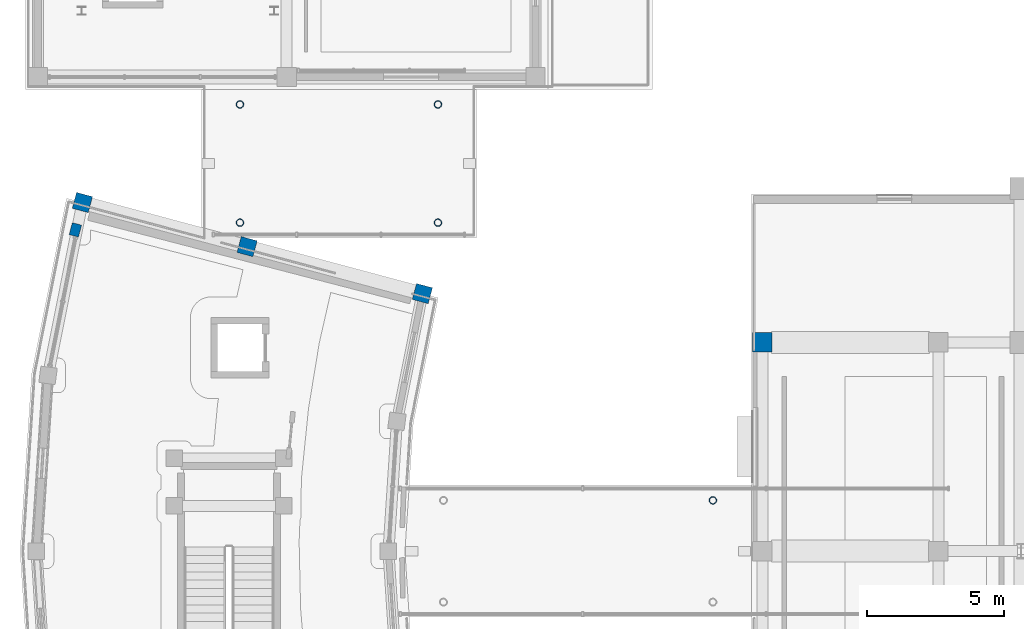
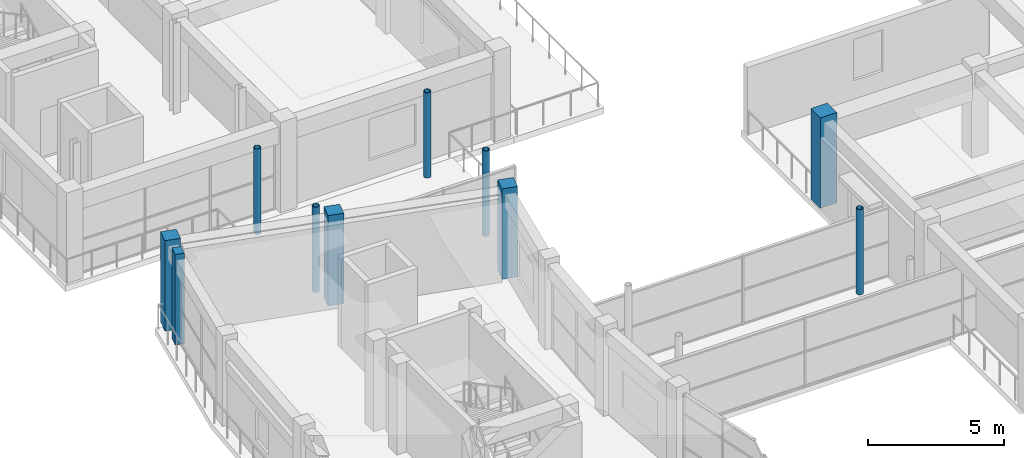
# One storey, part 3 of 70: 10 columns.
"""IFC4 building model written with IfcOpenShell, lengths in metres."""

from ifc_helpers import new_model, si_unit, direction, frame, origin, origin_2d, place, context, subcontext, project, spatial, rectangle, hollow_circle, extrude, material, material_profile, profile_set, type_object, element, save


model = new_model("IFC4")

# Units and contexts
model_context = context("Model", 3, precision=1e-05, world=origin(), true_north=direction((0.0, 1.0)))
body_context = subcontext(model_context, "Body", "Model", "MODEL_VIEW")
ifc_project = project(units=[si_unit("LENGTHUNIT", "METRE"), si_unit("AREAUNIT", "SQUARE_METRE"), si_unit("VOLUMEUNIT", "CUBIC_METRE"), si_unit("PLANEANGLEUNIT", "RADIAN"), si_unit("MASSUNIT", "GRAM", prefix="KILO")], contexts=[model_context])

# Site, building, storey
site_placement = place(None, origin())
site = spatial("IfcSite", under=ifc_project, at=site_placement, CompositionType="ELEMENT")
building_placement = place(site_placement, origin())
building = spatial("IfcBuilding", under=site, at=building_placement, Name="Saryqyr Civic Hall", CompositionType="ELEMENT")
storey_placement = place(building_placement, frame((0.0, 0.0, 13.199951171875)))
storey = spatial("IfcBuildingStorey", under=building, at=storey_placement, Name="L03", CompositionType="ELEMENT", Elevation=13.199951171875)

# Columns
ifc_material_1 = material(Name="Steel S355", Category="steel")
ifc_material_profile_1 = material_profile(ifc_material_1, hollow_circle(Radius=0.136474609375, WallThickness=0.01611328125, at=origin_2d()), Name="CHS 273x16")
ifc_profile_set_1 = profile_set([ifc_material_profile_1], Name="Steel S355")
column_type_1 = type_object("IfcColumnType", Name="STR-COL-CHS273-S355", PredefinedType="COLUMN", material=ifc_profile_set_1)
for number, where, z_axis, x_axis, name in (
    (1, (15.39990234375, 95.949951171875, 0.0), (0.0, 0.0, 1.0), (1.0, 0.0, 0.0), "Column BRCOL-BR-NW-1-L03"),
    (2, (22.60009765625, 95.949951171875, 0.0), (0.0, 0.0, 1.0), (1.0, 0.0, 0.0), "Column BRCOL-BR-NW-2-L03"),
    (3, (22.60009765625, 100.25, 0.0), (0.0, 0.0, 1.0), (1.0, 0.0, 0.0), "Column BRCOL-BR-NW-3-L03"),
    (4, (15.39990234375, 100.25, 0.0), (0.0, 0.0, 1.0), (1.0, 0.0, 0.0), "Column BRCOL-BR-NW-4-L03"),
    (5, (32.60009765625, 85.85009765625, 0.0), (0.0, 0.0, 1.0), (1.0, 0.0, 0.0), "Column BRCOL-BR-CW-3-L03"),
):
    element("IfcColumn", number, at=place(storey_placement, frame(where, z_axis=z_axis, x_axis=x_axis)), inside=storey, type_object=column_type_1, Name=name, PredefinedType="COLUMN", context=body_context, shape_type="SweptSolid", body=[
        extrude(hollow_circle(Radius=0.136474609375, WallThickness=0.01611328125, at=origin_2d()), origin(), (0.0, 0.0, 1.0), 3.820068359375),
    ])
ifc_material_2 = material(Name="Concrete C40/50", Category="concrete")
ifc_material_profile_2 = material_profile(ifc_material_2, rectangle(XDim=0.60009765625, YDim=0.60009765625, at=origin_2d()), Name="RC 600x600")
ifc_profile_set_2 = profile_set([ifc_material_profile_2], Name="Concrete C40/50")
column_type_2 = type_object("IfcColumnType", Name="STR-COL-RC600-C40", PredefinedType="COLUMN", material=ifc_profile_set_2)
for number, where, z_axis, x_axis, name in (
    (6, (22.033447265625, 93.369140625, 0.0), (0.0, 0.0, 1.0), (-0.965925826289, 0.258819045103, 0.0), "Column V4-COL-IN00-L03"),
    (7, (15.658447265625, 95.077392578125, 0.0), (0.0, 0.0, 1.0), (-0.965925826289, 0.258819045103, 0.0), "Column V4-COL-MID00-L03"),
    (8, (9.669677734375, 96.68212890625, 0.0), (0.0, 0.0, 1.0), (-0.965925826289, 0.258819045103, 0.0), "Column V4-COL-OUT00-L03"),
):
    element("IfcColumn", number, at=place(storey_placement, frame(where, z_axis=z_axis, x_axis=x_axis)), inside=storey, type_object=column_type_2, Name=name, PredefinedType="COLUMN", context=body_context, shape_type="SweptSolid", body=[
        extrude(rectangle(XDim=0.60009765625, YDim=0.60009765625, at=origin_2d()), origin(), (0.0, 0.0, 1.0), 4.050048828125),
    ])
ifc_material_profile_3 = material_profile(ifc_material_2, rectangle(XDim=0.699951171875, YDim=0.699951171875, at=origin_2d()), Name="RC 700x700")
ifc_profile_set_3 = profile_set([ifc_material_profile_3], Name="Concrete C40/50")
column_type_3 = type_object("IfcColumnType", Name="STR-COL-RC700-C40", PredefinedType="COLUMN", material=ifc_profile_set_3)
column_1_placement = place(storey_placement, frame((34.39990234375, 91.60009765625, 0.0), z_axis=(0.0, 0.0, 1.0), x_axis=(1.0, 0.0, 0.0)))
element("IfcColumn", 9, at=column_1_placement, inside=storey, type_object=column_type_3, Name="Column V1-COL-S1P03-L03", PredefinedType="COLUMN", context=body_context, shape_type="SweptSolid", body=[
    extrude(rectangle(XDim=0.699951171875, YDim=0.699951171875, at=origin_2d()), origin(), (0.0, 0.0, 1.0), 4.050048828125),
])
ifc_material_3 = material(Name="Concrete C35/45", Category="concrete")
ifc_material_profile_4 = material_profile(ifc_material_3, rectangle(XDim=0.35009765625, YDim=0.449951171875, at=origin_2d()), Name="RC 350x450")
ifc_profile_set_4 = profile_set([ifc_material_profile_4], Name="Concrete C35/45")
column_type_4 = type_object("IfcColumnType", Name="STR-PIL-RC350x450-EXT", PredefinedType="PILASTER", material=ifc_profile_set_4)
column_2_placement = place(storey_placement, frame((9.414306640625, 95.68798828125, 0.0), z_axis=(0.0, 0.0, 1.0), x_axis=(-0.965925826289, 0.258819045103, 0.0)))
element("IfcColumn", 10, at=column_2_placement, inside=storey, type_object=column_type_4, Name="Column V4-PIL-00-L03", PredefinedType="PILASTER", context=body_context, shape_type="SweptSolid", body=[
    extrude(rectangle(XDim=0.35009765625, YDim=0.449951171875, at=origin_2d()), origin(), (0.0, 0.0, 1.0), 4.050048828125),
])

save(model, "model.ifc")
